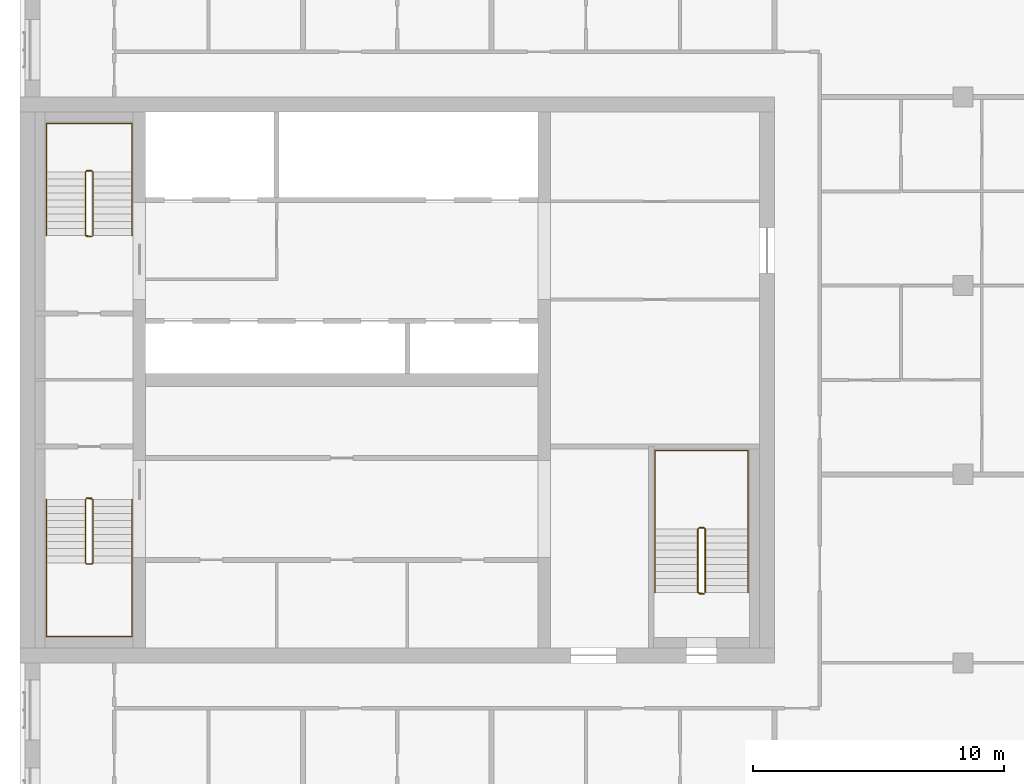
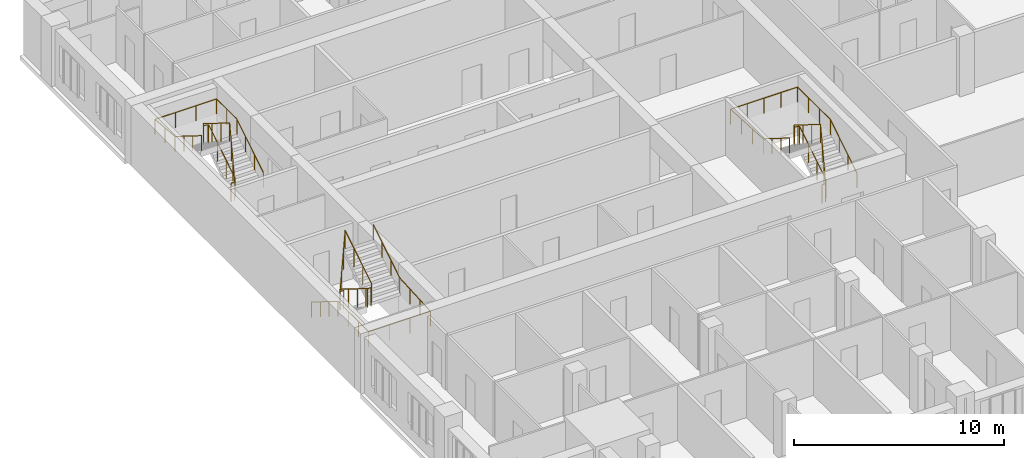
# One storey, part 10 of 10: 6 railings.
"""IFC4 building model written with IfcOpenShell, lengths in metres."""

import ifcopenshell
import ifcopenshell.guid

model = None  # the IFC model being written
_history = None  # IfcOwnerHistory: only IFC2X3 demands one
_inside = {}  # id of a spatial element -> (the spatial element, [elements in it])
_under = {}  # id of a project, library or spatial element -> (it, [spatial elements below it])
_declared = {}  # id of a project -> (the project, [libraries it declares])
_typed = {}  # id of a type object -> (the type object, [elements of that type])
_made_of = {}  # id of a material, layer set ... -> (it, [elements and type objects made of it])


def new_model(schema):
    """Start an empty IFC model of exactly this schema.

    Asked for "IFC4X3", IfcOpenShell would pick the latest addendum, in which some entities
    have other attributes; the version numbers below select the first issue.
    IFC2X3 requires an IfcOwnerHistory on every rooted entity: one is made here for all.
    """
    global model, _history
    if schema == "IFC4X3":
        model = ifcopenshell.file(schema_version=(4, 3, 0, 0))
    else:
        model = ifcopenshell.file(schema=schema)
    _inside.clear()
    _under.clear()
    _declared.clear()
    _typed.clear()
    _made_of.clear()
    _history = None
    if model.schema == "IFC2X3":
        org = make("IfcOrganization", Name="unknown")
        user = make(
            "IfcPersonAndOrganization",
            ThePerson=make("IfcPerson", FamilyName="unknown"),
            TheOrganization=org,
        )
        app = make(
            "IfcApplication",
            ApplicationDeveloper=org,
            Version="unknown",
            ApplicationFullName="unknown",
            ApplicationIdentifier="unknown",
        )
        _history = make(
            "IfcOwnerHistory",
            OwningUser=user,
            OwningApplication=app,
            ChangeAction="ADDED",
            CreationDate=0,
        )
    return model


def make(cls, **values):
    """One entity of the class cls with the attributes given. An attribute that is None is left unset."""
    return model.create_entity(
        cls, **{name: value for name, value in values.items() if value is not None}
    )


def rooted(cls, **values):
    """An entity with a GlobalId (a new one), such as an element, a storey or a relation."""
    return make(cls, GlobalId=ifcopenshell.guid.new(), OwnerHistory=_history, **values)


def si_unit(unit_type, name, prefix=None):
    """IfcSIUnit, for example si_unit("LENGTHUNIT", "METRE", prefix="MILLI")."""
    return make("IfcSIUnit", UnitType=unit_type, Prefix=prefix, Name=name)


def assignment(units):
    """IfcUnitAssignment: the units of a project."""
    return None if units is None else make("IfcUnitAssignment", Units=units)


def point(xyz):
    """IfcCartesianPoint."""
    return None if xyz is None else make("IfcCartesianPoint", Coordinates=xyz)


def direction(xyz):
    """IfcDirection."""
    return None if xyz is None else make("IfcDirection", DirectionRatios=xyz)


def frame(location, z_axis=None, x_axis=None):
    """IfcAxis2Placement3D, a coordinate frame: its origin and axes. An axis left out is left unset."""
    return make(
        "IfcAxis2Placement3D",
        Location=point(location),
        Axis=direction(z_axis),
        RefDirection=direction(x_axis),
    )


def frame_2d(location, x_axis=None):
    """IfcAxis2Placement2D, a coordinate frame in the plane: its origin and x axis."""
    return make(
        "IfcAxis2Placement2D", Location=point(location), RefDirection=direction(x_axis)
    )


def origin():
    """The frame at (0, 0, 0) with its axes left unset."""
    return frame((0.0, 0.0, 0.0))


def origin_2d():
    """The frame at (0, 0) in the plane with its x axis left unset."""
    return frame_2d((0.0, 0.0))


def place(relative_to, where):
    """IfcLocalPlacement: puts the frame where relative to a parent placement (None: the world)."""
    return make(
        "IfcLocalPlacement", PlacementRelTo=relative_to, RelativePlacement=where
    )


def context(
    kind, dimensions, precision=None, world=None, true_north=None, identifier=None
):
    """IfcGeometricRepresentationContext, for example the 3D "Model" context."""
    return make(
        "IfcGeometricRepresentationContext",
        ContextIdentifier=identifier,
        ContextType=kind,
        CoordinateSpaceDimension=dimensions,
        Precision=precision,
        WorldCoordinateSystem=world,
        TrueNorth=true_north,
    )


def subcontext(parent, identifier, kind, view, scale=None):
    """IfcGeometricRepresentationSubContext, for example "Body" below "Model"."""
    return make(
        "IfcGeometricRepresentationSubContext",
        ContextIdentifier=identifier,
        ContextType=kind,
        ParentContext=parent,
        TargetScale=scale,
        TargetView=view,
    )


def project(units=None, contexts=None):
    """IfcProject with its units and contexts."""
    return rooted(
        "IfcProject",
        Name="project",
        RepresentationContexts=contexts,
        UnitsInContext=assignment(units),
    )


def spatial(cls, under=None, at=None, **own):
    """A site, building, storey or space (cls), placed at a placement, below another one or the project."""
    s = rooted(cls, ObjectPlacement=at, **own)
    if under is not None:
        _under.setdefault(under.id(), (under, []))[1].append(s)
    return s


def profile(cls, at=None, kind="AREA", **sizes):
    """A parametric profile (cls). Its sizes go by their IFC names, for example OverallWidth=200.0."""
    return make(cls, ProfileType=kind, Position=at, **sizes)


def circle(**sizes):
    """IfcCircleProfileDef."""
    return profile("IfcCircleProfileDef", **sizes)


def extrude(swept, where, along, depth):
    """IfcExtrudedAreaSolid: the profile swept, set in the frame where, extruded along a direction by depth."""
    return make(
        "IfcExtrudedAreaSolid",
        SweptArea=swept,
        Position=where,
        ExtrudedDirection=direction(along),
        Depth=depth,
    )


def shape(context_of_items, identifier, shape_type, items):
    """IfcShapeRepresentation: the items that make up one representation, for example the "Body"."""
    return make(
        "IfcShapeRepresentation",
        ContextOfItems=context_of_items,
        RepresentationIdentifier=identifier,
        RepresentationType=shape_type,
        Items=items,
    )


def material(Name=None, Category=None):
    """IfcMaterial."""
    return make("IfcMaterial", Name=Name, Category=Category)


def made_of(thing, what):
    """Note that an element or type object is made of a material, layer set ...; save() writes the relation."""
    if what is not None:
        _made_of.setdefault(what.id(), (what, []))[1].append(thing)
    return thing


def type_object(cls, material=None, **own):
    """A type object (cls), such as IfcWallType, which elements share."""
    return made_of(rooted(cls, **own), material)


def element(
    cls,
    number,
    at=None,
    inside=None,
    cuts=None,
    type_object=None,
    material=None,
    context=None,
    identifier="Body",
    shape_type=None,
    held_by="IfcProductDefinitionShape",
    body=None,
    shapes=None,
    **own,
):
    """One element of the class cls, such as IfcWall. Its Tag is "e" and its number.

    at: its placement. inside: the storey or other place that contains it. cuts: it is an
    opening in that element (IfcRelVoidsElement). A single representation is given by context,
    identifier, shape_type and body (its items); several are given by shapes. held_by: the class
    of the entity that holds the representations. save() writes the other relations.
    """
    e = rooted(cls, Tag="e%d" % number, ObjectPlacement=at, **own)
    if body is not None:
        shapes = [shape(context, identifier, shape_type, body)]
    if shapes is not None:
        e.Representation = make(held_by, Representations=shapes)
    if inside is not None:
        _inside.setdefault(inside.id(), (inside, []))[1].append(e)
    if cuts is not None:
        rooted(
            "IfcRelVoidsElement", RelatingBuildingElement=cuts, RelatedOpeningElement=e
        )
    if type_object is not None:
        _typed.setdefault(type_object.id(), (type_object, []))[1].append(e)
    return made_of(e, material)


def aggregate(whole, parts):
    """IfcRelAggregates: a whole, such as a stair, and the parts it consists of."""
    return rooted("IfcRelAggregates", RelatingObject=whole, RelatedObjects=parts)


def save(model, path):
    """Write the relations noted so far, then the file.

    IfcRelAggregates (storeys below a building ...), IfcRelContainedInSpatialStructure (elements
    in a storey), IfcRelDefinesByType, IfcRelAssociatesMaterial and IfcRelDeclares: one each for
    every whole, place, type object, material and project.
    """
    for whole, parts in _under.values():
        aggregate(whole, parts)
    for where, things in _inside.values():
        rooted(
            "IfcRelContainedInSpatialStructure",
            RelatedElements=things,
            RelatingStructure=where,
        )
    for kind, things in _typed.values():
        rooted("IfcRelDefinesByType", RelatedObjects=things, RelatingType=kind)
    for what, things in _made_of.values():
        rooted("IfcRelAssociatesMaterial", RelatedObjects=things, RelatingMaterial=what)
    for by, libraries in _declared.values():
        rooted("IfcRelDeclares", RelatingContext=by, RelatedDefinitions=libraries)
    model.write(path)


model = new_model("IFC4")

# Units and contexts
model_context = context("Model", 3, precision=1e-05, world=origin(), true_north=direction((0.0, 1.0)))
body_context = subcontext(model_context, "Body", "Model", "MODEL_VIEW")
ifc_project = project(units=[si_unit("LENGTHUNIT", "METRE"), si_unit("AREAUNIT", "SQUARE_METRE"), si_unit("VOLUMEUNIT", "CUBIC_METRE"), si_unit("PLANEANGLEUNIT", "RADIAN"), si_unit("MASSUNIT", "GRAM", prefix="KILO")], contexts=[model_context])

# Site, building, storey
site_placement = place(None, origin())
site = spatial("IfcSite", under=ifc_project, at=site_placement, CompositionType="ELEMENT")
building_placement = place(site_placement, origin())
building = spatial("IfcBuilding", under=site, at=building_placement, Name="Tamorin Gate", CompositionType="ELEMENT")
storey_placement = place(building_placement, frame((0.0, 0.0, 251.199951171875)))
storey = spatial("IfcBuildingStorey", under=building, at=storey_placement, Name="L63", CompositionType="ELEMENT", Elevation=251.199951171875)

# Railings
ifc_material_1 = material(Name="Painted steel balustrade", Category="steel")
railing_type_1 = type_object("IfcRailingType", Name="Stair guard 1100", PredefinedType="GUARDRAIL", material=ifc_material_1)
railing_1_placement = place(storey_placement, frame((32.60009765625, 66.5, 0.175048828125)))
element("IfcRailing", 1, at=railing_1_placement, inside=storey, type_object=railing_type_1, Name="L63 ST1 stair guard 1", PredefinedType="GUARDRAIL", context=body_context, shape_type="SweptSolid", body=[
    extrude(circle(Radius=0.02392578125, at=origin_2d()), frame((0.0, 0.0, 1.076171875), z_axis=(0.0, -0.848007534815, 0.529984170421), x_axis=(1.0, 0.0, 0.0)), (0.0, 0.0, 1.0), 2.9716796875),
    extrude(circle(Radius=0.02392578125, at=origin_2d()), frame((0.0, -2.52001953125, 2.65087890625), z_axis=(0.705375805398, -0.708833529934, 0.0), x_axis=(0.708833529934, 0.705375805398, 0.0)), (0.0, 0.0, 1.0), 0.070556640625),
    extrude(circle(Radius=0.02392578125, at=origin_2d()), frame((0.0498046875, -2.570068359375, 2.65087890625), z_axis=(1.0, 0.0, 0.0), x_axis=(0.0, 1.0, 0.0)), (0.0, 0.0, 1.0), 0.2001953125),
    extrude(circle(Radius=0.02392578125, at=origin_2d()), frame((0.25, -2.570068359375, 2.65087890625), z_axis=(0.263862480399, 0.265155923931, 0.927399011991), x_axis=(-0.708833529934, 0.705375805398, 0.0)), (0.0, 0.0, 1.0), 0.188720703125),
    extrude(circle(Radius=0.02392578125, at=origin_2d()), frame((0.2998046875, -2.52001953125, 2.826171875), z_axis=(0.0, 0.848007534815, 0.529984170421), x_axis=(-1.0, 0.0, 0.0)), (0.0, 0.0, 1.0), 2.9716796875),
    extrude(circle(Radius=0.02392578125, at=origin_2d()), frame((0.2998046875, 0.0, 4.40087890625), z_axis=(-0.071239803756, 0.014261874775, -0.997357252587), x_axis=(-0.196300278283, -0.98054382908, 0.0)), (0.0, 0.0, 1.0), 3.50927734375),
    extrude(circle(Radius=0.02392578125, at=origin_2d()), frame((0.0498046875, 0.050048828125, 0.90087890625), z_axis=(1.0, 0.0, 0.0), x_axis=(0.0, 1.0, 0.0)), (0.0, 0.0, 1.0), 0.2001953125),
    extrude(circle(Radius=0.02099609375, at=origin_2d()), origin(), (0.0, 0.0, 1.0), 1.052001953125),
    extrude(circle(Radius=0.02099609375, at=origin_2d()), frame((0.0, -0.840087890625, 0.52490234375)), (0.0, 0.0, 1.0), 1.052001953125),
    extrude(circle(Radius=0.02099609375, at=origin_2d()), frame((0.0, -1.679931640625, 1.050048828125)), (0.0, 0.0, 1.0), 1.052001953125),
    extrude(circle(Radius=0.02099609375, at=origin_2d()), frame((0.0, -2.52001953125, 1.574951171875)), (0.0, 0.0, 1.0), 1.052001953125),
    extrude(circle(Radius=0.02099609375, at=origin_2d()), frame((0.0498046875, -2.570068359375, 1.574951171875)), (0.0, 0.0, 1.0), 1.052001953125),
    extrude(circle(Radius=0.02099609375, at=origin_2d()), frame((0.25, -2.570068359375, 1.574951171875)), (0.0, 0.0, 1.0), 1.052001953125),
    extrude(circle(Radius=0.02099609375, at=origin_2d()), frame((0.2998046875, -2.52001953125, 1.75)), (0.0, 0.0, 1.0), 1.052001953125),
    extrude(circle(Radius=0.02099609375, at=origin_2d()), frame((0.2998046875, -1.679931640625, 2.27490234375)), (0.0, 0.0, 1.0), 1.052001953125),
    extrude(circle(Radius=0.02099609375, at=origin_2d()), frame((0.2998046875, -0.840087890625, 2.800048828125)), (0.0, 0.0, 1.0), 1.052001953125),
    extrude(circle(Radius=0.02099609375, at=origin_2d()), frame((0.2998046875, 0.0, 3.324951171875)), (0.0, 0.0, 1.0), 1.052001953125),
    extrude(circle(Radius=0.02099609375, at=origin_2d()), frame((0.216552734375, 0.0166015625, 2.158203125)), (0.0, 0.0, 1.0), 1.052001953125),
    extrude(circle(Radius=0.02099609375, at=origin_2d()), frame((0.133056640625, 0.033447265625, 0.99169921875)), (0.0, 0.0, 1.0), 1.052001953125),
    extrude(circle(Radius=0.02099609375, at=origin_2d()), frame((0.0498046875, 0.050048828125, -0.175048828125)), (0.0, 0.0, 1.0), 1.052001953125),
    extrude(circle(Radius=0.02099609375, at=origin_2d()), frame((0.25, 0.050048828125, -0.175048828125)), (0.0, 0.0, 1.0), 1.052001953125),
])
railing_2_placement = place(storey_placement, frame((32.89990234375, 77.0, 0.175048828125)))
element("IfcRailing", 2, at=railing_2_placement, inside=storey, type_object=railing_type_1, Name="L63 ST2 stair guard 1", PredefinedType="GUARDRAIL", context=body_context, shape_type="SweptSolid", body=[
    extrude(circle(Radius=0.02392578125, at=origin_2d()), frame((0.0, 0.0, 1.076171875), z_axis=(0.0, 0.848007534815, 0.529984170421), x_axis=(-1.0, 0.0, 0.0)), (0.0, 0.0, 1.0), 2.9716796875),
    extrude(circle(Radius=0.02392578125, at=origin_2d()), frame((0.0, 2.52001953125, 2.65087890625), z_axis=(-0.705375805398, 0.708833529934, 0.0), x_axis=(-0.708833529934, -0.705375805398, 0.0)), (0.0, 0.0, 1.0), 0.070556640625),
    extrude(circle(Radius=0.02392578125, at=origin_2d()), frame((-0.0498046875, 2.570068359375, 2.65087890625), z_axis=(-1.0, 0.0, 0.0), x_axis=(0.0, -1.0, 0.0)), (0.0, 0.0, 1.0), 0.2001953125),
    extrude(circle(Radius=0.02392578125, at=origin_2d()), frame((-0.25, 2.570068359375, 2.65087890625), z_axis=(-0.263862480399, -0.265155923931, 0.927399011991), x_axis=(0.708833529934, -0.705375805398, 0.0)), (0.0, 0.0, 1.0), 0.188720703125),
    extrude(circle(Radius=0.02392578125, at=origin_2d()), frame((-0.2998046875, 2.52001953125, 2.826171875), z_axis=(0.0, -0.848007534815, 0.529984170421), x_axis=(1.0, 0.0, 0.0)), (0.0, 0.0, 1.0), 2.9716796875),
    extrude(circle(Radius=0.02392578125, at=origin_2d()), frame((-0.2998046875, 0.0, 4.40087890625), z_axis=(0.071239803756, -0.014261874775, -0.997357252587), x_axis=(0.196300278283, 0.98054382908, 0.0)), (0.0, 0.0, 1.0), 3.50927734375),
    extrude(circle(Radius=0.02392578125, at=origin_2d()), frame((-0.0498046875, -0.050048828125, 0.90087890625), z_axis=(-1.0, 0.0, 0.0), x_axis=(0.0, -1.0, 0.0)), (0.0, 0.0, 1.0), 0.2001953125),
    extrude(circle(Radius=0.02099609375, at=origin_2d()), origin(), (0.0, 0.0, 1.0), 1.052001953125),
    extrude(circle(Radius=0.02099609375, at=origin_2d()), frame((0.0, 0.840087890625, 0.52490234375)), (0.0, 0.0, 1.0), 1.052001953125),
    extrude(circle(Radius=0.02099609375, at=origin_2d()), frame((0.0, 1.679931640625, 1.050048828125)), (0.0, 0.0, 1.0), 1.052001953125),
    extrude(circle(Radius=0.02099609375, at=origin_2d()), frame((0.0, 2.52001953125, 1.574951171875)), (0.0, 0.0, 1.0), 1.052001953125),
    extrude(circle(Radius=0.02099609375, at=origin_2d()), frame((-0.0498046875, 2.570068359375, 1.574951171875)), (0.0, 0.0, 1.0), 1.052001953125),
    extrude(circle(Radius=0.02099609375, at=origin_2d()), frame((-0.25, 2.570068359375, 1.574951171875)), (0.0, 0.0, 1.0), 1.052001953125),
    extrude(circle(Radius=0.02099609375, at=origin_2d()), frame((-0.2998046875, 2.52001953125, 1.75)), (0.0, 0.0, 1.0), 1.052001953125),
    extrude(circle(Radius=0.02099609375, at=origin_2d()), frame((-0.2998046875, 1.679931640625, 2.27490234375)), (0.0, 0.0, 1.0), 1.052001953125),
    extrude(circle(Radius=0.02099609375, at=origin_2d()), frame((-0.2998046875, 0.840087890625, 2.800048828125)), (0.0, 0.0, 1.0), 1.052001953125),
    extrude(circle(Radius=0.02099609375, at=origin_2d()), frame((-0.2998046875, 0.0, 3.324951171875)), (0.0, 0.0, 1.0), 1.052001953125),
    extrude(circle(Radius=0.02099609375, at=origin_2d()), frame((-0.216552734375, -0.0166015625, 2.158203125)), (0.0, 0.0, 1.0), 1.052001953125),
    extrude(circle(Radius=0.02099609375, at=origin_2d()), frame((-0.133056640625, -0.033447265625, 0.99169921875)), (0.0, 0.0, 1.0), 1.052001953125),
    extrude(circle(Radius=0.02099609375, at=origin_2d()), frame((-0.0498046875, -0.050048828125, -0.175048828125)), (0.0, 0.0, 1.0), 1.052001953125),
    extrude(circle(Radius=0.02099609375, at=origin_2d()), frame((-0.25, -0.050048828125, -0.175048828125)), (0.0, 0.0, 1.0), 1.052001953125),
])
railing_3_placement = place(storey_placement, frame((57.25, 62.800048828125, 0.175048828125)))
element("IfcRailing", 3, at=railing_3_placement, inside=storey, type_object=railing_type_1, Name="L63 ST3 stair guard 1", PredefinedType="GUARDRAIL", context=body_context, shape_type="SweptSolid", body=[
    extrude(circle(Radius=0.02392578125, at=origin_2d()), frame((0.0, 0.0, 1.076171875), z_axis=(0.0, 0.848007534815, 0.529984170421), x_axis=(-1.0, 0.0, 0.0)), (0.0, 0.0, 1.0), 2.9716796875),
    extrude(circle(Radius=0.02392578125, at=origin_2d()), frame((0.0, 2.52001953125, 2.65087890625), z_axis=(-0.707106781187, 0.707106781187, 0.0), x_axis=(-0.707106781187, -0.707106781187, 0.0)), (0.0, 0.0, 1.0), 0.07080078125),
    extrude(circle(Radius=0.02392578125, at=origin_2d()), frame((-0.050048828125, 2.570068359375, 2.65087890625), z_axis=(-1.0, 0.0, 0.0), x_axis=(0.0, -1.0, 0.0)), (0.0, 0.0, 1.0), 0.199951171875),
    extrude(circle(Radius=0.02392578125, at=origin_2d()), frame((-0.25, 2.570068359375, 2.65087890625), z_axis=(-0.265065253269, -0.265065253269, 0.927081885822), x_axis=(0.707106781187, -0.707106781187, 0.0)), (0.0, 0.0, 1.0), 0.188720703125),
    extrude(circle(Radius=0.02392578125, at=origin_2d()), frame((-0.300048828125, 2.52001953125, 2.826171875), z_axis=(0.0, -0.848007534815, 0.529984170421), x_axis=(1.0, 0.0, 0.0)), (0.0, 0.0, 1.0), 2.9716796875),
    extrude(circle(Radius=0.02392578125, at=origin_2d()), frame((-0.300048828125, 0.0, 4.40087890625), z_axis=(0.071239803756, -0.014261874775, -0.997357252587), x_axis=(0.196300278283, 0.98054382908, 0.0)), (0.0, 0.0, 1.0), 3.50927734375),
    extrude(circle(Radius=0.02392578125, at=origin_2d()), frame((-0.050048828125, -0.050048828125, 0.90087890625), z_axis=(-1.0, 0.0, 0.0), x_axis=(0.0, -1.0, 0.0)), (0.0, 0.0, 1.0), 0.199951171875),
    extrude(circle(Radius=0.02099609375, at=origin_2d()), origin(), (0.0, 0.0, 1.0), 1.052001953125),
    extrude(circle(Radius=0.02099609375, at=origin_2d()), frame((0.0, 0.840087890625, 0.52490234375)), (0.0, 0.0, 1.0), 1.052001953125),
    extrude(circle(Radius=0.02099609375, at=origin_2d()), frame((0.0, 1.679931640625, 1.050048828125)), (0.0, 0.0, 1.0), 1.052001953125),
    extrude(circle(Radius=0.02099609375, at=origin_2d()), frame((0.0, 2.52001953125, 1.574951171875)), (0.0, 0.0, 1.0), 1.052001953125),
    extrude(circle(Radius=0.02099609375, at=origin_2d()), frame((-0.050048828125, 2.570068359375, 1.574951171875)), (0.0, 0.0, 1.0), 1.052001953125),
    extrude(circle(Radius=0.02099609375, at=origin_2d()), frame((-0.25, 2.570068359375, 1.574951171875)), (0.0, 0.0, 1.0), 1.052001953125),
    extrude(circle(Radius=0.02099609375, at=origin_2d()), frame((-0.300048828125, 2.52001953125, 1.75)), (0.0, 0.0, 1.0), 1.052001953125),
    extrude(circle(Radius=0.02099609375, at=origin_2d()), frame((-0.300048828125, 1.679931640625, 2.27490234375)), (0.0, 0.0, 1.0), 1.052001953125),
    extrude(circle(Radius=0.02099609375, at=origin_2d()), frame((-0.300048828125, 0.840087890625, 2.800048828125)), (0.0, 0.0, 1.0), 1.052001953125),
    extrude(circle(Radius=0.02099609375, at=origin_2d()), frame((-0.300048828125, 0.0, 3.324951171875)), (0.0, 0.0, 1.0), 1.052001953125),
    extrude(circle(Radius=0.02099609375, at=origin_2d()), frame((-0.216796875, -0.0166015625, 2.158203125)), (0.0, 0.0, 1.0), 1.052001953125),
    extrude(circle(Radius=0.02099609375, at=origin_2d()), frame((-0.13330078125, -0.033447265625, 0.99169921875)), (0.0, 0.0, 1.0), 1.052001953125),
    extrude(circle(Radius=0.02099609375, at=origin_2d()), frame((-0.050048828125, -0.050048828125, -0.175048828125)), (0.0, 0.0, 1.0), 1.052001953125),
    extrude(circle(Radius=0.02099609375, at=origin_2d()), frame((-0.25, -0.050048828125, -0.175048828125)), (0.0, 0.0, 1.0), 1.052001953125),
])
ifc_material_2 = material(Name="Painted steel handrail", Category="steel")
railing_type_2 = type_object("IfcRailingType", Name="Stair handrail 900", PredefinedType="HANDRAIL", material=ifc_material_2)
railing_4_placement = place(storey_placement, frame((31.050048828125, 66.5, 0.175048828125)))
element("IfcRailing", 4, at=railing_4_placement, inside=storey, type_object=railing_type_2, Name="L63 ST1 stair handrail 1", PredefinedType="HANDRAIL", context=body_context, shape_type="SweptSolid", body=[
    extrude(circle(Radius=0.02392578125, at=origin_2d()), frame((0.0, 0.0, 0.8759765625), z_axis=(0.0, -0.848007534815, 0.529984170421), x_axis=(1.0, 0.0, 0.0)), (0.0, 0.0, 1.0), 2.9716796875),
    extrude(circle(Radius=0.02392578125, at=origin_2d()), frame((0.0, -2.52001953125, 2.45068359375), z_axis=(0.0, -1.0, 0.0), x_axis=(1.0, 0.0, 0.0)), (0.0, 0.0, 1.0), 2.929931640625),
    extrude(circle(Radius=0.02392578125, at=origin_2d()), frame((0.0, -5.449951171875, 2.45068359375), z_axis=(1.0, 0.0, 0.0), x_axis=(0.0, 1.0, 0.0)), (0.0, 0.0, 1.0), 3.39990234375),
    extrude(circle(Radius=0.02392578125, at=origin_2d()), frame((3.39990234375, -5.449951171875, 2.45068359375), z_axis=(0.0, 0.998220029962, 0.0596386769), x_axis=(-1.0, 0.0, 0.0)), (0.0, 0.0, 1.0), 2.93505859375),
    extrude(circle(Radius=0.02392578125, at=origin_2d()), frame((3.39990234375, -2.52001953125, 2.6259765625), z_axis=(0.0, 0.848007534815, 0.529984170421), x_axis=(-1.0, 0.0, 0.0)), (0.0, 0.0, 1.0), 2.9716796875),
    extrude(circle(Radius=0.02099609375, at=origin_2d()), origin(), (0.0, 0.0, 1.0), 0.851806640625),
    extrude(circle(Radius=0.02099609375, at=origin_2d()), frame((0.0, -0.840087890625, 0.52490234375)), (0.0, 0.0, 1.0), 0.851806640625),
    extrude(circle(Radius=0.02099609375, at=origin_2d()), frame((0.0, -1.679931640625, 1.050048828125)), (0.0, 0.0, 1.0), 0.851806640625),
    extrude(circle(Radius=0.02099609375, at=origin_2d()), frame((0.0, -2.52001953125, 1.574951171875)), (0.0, 0.0, 1.0), 0.851806640625),
    extrude(circle(Radius=0.02099609375, at=origin_2d()), frame((0.0, -3.49658203125, 1.574951171875)), (0.0, 0.0, 1.0), 0.851806640625),
    extrude(circle(Radius=0.02099609375, at=origin_2d()), frame((0.0, -4.473388671875, 1.574951171875)), (0.0, 0.0, 1.0), 0.851806640625),
    extrude(circle(Radius=0.02099609375, at=origin_2d()), frame((0.0, -5.449951171875, 1.574951171875)), (0.0, 0.0, 1.0), 0.851806640625),
    extrude(circle(Radius=0.02099609375, at=origin_2d()), frame((1.13330078125, -5.449951171875, 1.574951171875)), (0.0, 0.0, 1.0), 0.851806640625),
    extrude(circle(Radius=0.02099609375, at=origin_2d()), frame((2.2666015625, -5.449951171875, 1.574951171875)), (0.0, 0.0, 1.0), 0.851806640625),
    extrude(circle(Radius=0.02099609375, at=origin_2d()), frame((3.39990234375, -5.449951171875, 1.574951171875)), (0.0, 0.0, 1.0), 0.851806640625),
    extrude(circle(Radius=0.02099609375, at=origin_2d()), frame((3.39990234375, -4.473388671875, 1.63330078125)), (0.0, 0.0, 1.0), 0.851806640625),
    extrude(circle(Radius=0.02099609375, at=origin_2d()), frame((3.39990234375, -3.49658203125, 1.691650390625)), (0.0, 0.0, 1.0), 0.851806640625),
    extrude(circle(Radius=0.02099609375, at=origin_2d()), frame((3.39990234375, -2.52001953125, 1.75)), (0.0, 0.0, 1.0), 0.851806640625),
    extrude(circle(Radius=0.02099609375, at=origin_2d()), frame((3.39990234375, -1.679931640625, 2.27490234375)), (0.0, 0.0, 1.0), 0.851806640625),
    extrude(circle(Radius=0.02099609375, at=origin_2d()), frame((3.39990234375, -0.840087890625, 2.800048828125)), (0.0, 0.0, 1.0), 0.851806640625),
    extrude(circle(Radius=0.02099609375, at=origin_2d()), frame((3.39990234375, 0.0, 3.324951171875)), (0.0, 0.0, 1.0), 0.851806640625),
])
railing_5_placement = place(storey_placement, frame((34.449951171875, 77.0, 0.175048828125)))
element("IfcRailing", 5, at=railing_5_placement, inside=storey, type_object=railing_type_2, Name="L63 ST2 stair handrail 1", PredefinedType="HANDRAIL", context=body_context, shape_type="SweptSolid", body=[
    extrude(circle(Radius=0.02392578125, at=origin_2d()), frame((0.0, 0.0, 0.8759765625), z_axis=(0.0, 0.848007534815, 0.529984170421), x_axis=(-1.0, 0.0, 0.0)), (0.0, 0.0, 1.0), 2.9716796875),
    extrude(circle(Radius=0.02392578125, at=origin_2d()), frame((0.0, 2.52001953125, 2.45068359375), z_axis=(0.0, 1.0, 0.0), x_axis=(-1.0, 0.0, 0.0)), (0.0, 0.0, 1.0), 1.929931640625),
    extrude(circle(Radius=0.02392578125, at=origin_2d()), frame((0.0, 4.449951171875, 2.45068359375), z_axis=(-1.0, 0.0, 0.0), x_axis=(0.0, -1.0, 0.0)), (0.0, 0.0, 1.0), 3.39990234375),
    extrude(circle(Radius=0.02392578125, at=origin_2d()), frame((-3.39990234375, 4.449951171875, 2.45068359375), z_axis=(0.0, -0.995911773435, 0.090331276604), x_axis=(1.0, 0.0, 0.0)), (0.0, 0.0, 1.0), 1.937744140625),
    extrude(circle(Radius=0.02392578125, at=origin_2d()), frame((-3.39990234375, 2.52001953125, 2.6259765625), z_axis=(0.0, -0.848007534815, 0.529984170421), x_axis=(1.0, 0.0, 0.0)), (0.0, 0.0, 1.0), 2.9716796875),
    extrude(circle(Radius=0.02099609375, at=origin_2d()), origin(), (0.0, 0.0, 1.0), 0.851806640625),
    extrude(circle(Radius=0.02099609375, at=origin_2d()), frame((0.0, 0.840087890625, 0.52490234375)), (0.0, 0.0, 1.0), 0.851806640625),
    extrude(circle(Radius=0.02099609375, at=origin_2d()), frame((0.0, 1.679931640625, 1.050048828125)), (0.0, 0.0, 1.0), 0.851806640625),
    extrude(circle(Radius=0.02099609375, at=origin_2d()), frame((0.0, 2.52001953125, 1.574951171875)), (0.0, 0.0, 1.0), 0.851806640625),
    extrude(circle(Radius=0.02099609375, at=origin_2d()), frame((0.0, 3.48486328125, 1.574951171875)), (0.0, 0.0, 1.0), 0.851806640625),
    extrude(circle(Radius=0.02099609375, at=origin_2d()), frame((0.0, 4.449951171875, 1.574951171875)), (0.0, 0.0, 1.0), 0.851806640625),
    extrude(circle(Radius=0.02099609375, at=origin_2d()), frame((-1.13330078125, 4.449951171875, 1.574951171875)), (0.0, 0.0, 1.0), 0.851806640625),
    extrude(circle(Radius=0.02099609375, at=origin_2d()), frame((-2.2666015625, 4.449951171875, 1.574951171875)), (0.0, 0.0, 1.0), 0.851806640625),
    extrude(circle(Radius=0.02099609375, at=origin_2d()), frame((-3.39990234375, 4.449951171875, 1.574951171875)), (0.0, 0.0, 1.0), 0.851806640625),
    extrude(circle(Radius=0.02099609375, at=origin_2d()), frame((-3.39990234375, 3.48486328125, 1.66259765625)), (0.0, 0.0, 1.0), 0.851806640625),
    extrude(circle(Radius=0.02099609375, at=origin_2d()), frame((-3.39990234375, 2.52001953125, 1.75)), (0.0, 0.0, 1.0), 0.851806640625),
    extrude(circle(Radius=0.02099609375, at=origin_2d()), frame((-3.39990234375, 1.679931640625, 2.27490234375)), (0.0, 0.0, 1.0), 0.851806640625),
    extrude(circle(Radius=0.02099609375, at=origin_2d()), frame((-3.39990234375, 0.840087890625, 2.800048828125)), (0.0, 0.0, 1.0), 0.851806640625),
    extrude(circle(Radius=0.02099609375, at=origin_2d()), frame((-3.39990234375, 0.0, 3.324951171875)), (0.0, 0.0, 1.0), 0.851806640625),
])
railing_6_placement = place(storey_placement, frame((58.949951171875, 62.800048828125, 0.175048828125)))
element("IfcRailing", 6, at=railing_6_placement, inside=storey, type_object=railing_type_2, Name="L63 ST3 stair handrail 1", PredefinedType="HANDRAIL", context=body_context, shape_type="SweptSolid", body=[
    extrude(circle(Radius=0.02392578125, at=origin_2d()), frame((0.0, 0.0, 0.8759765625), z_axis=(0.0, 0.848007534815, 0.529984170421), x_axis=(-1.0, 0.0, 0.0)), (0.0, 0.0, 1.0), 2.9716796875),
    extrude(circle(Radius=0.02392578125, at=origin_2d()), frame((0.0, 2.52001953125, 2.45068359375), z_axis=(0.0, 1.0, 0.0), x_axis=(-1.0, 0.0, 0.0)), (0.0, 0.0, 1.0), 3.1298828125),
    extrude(circle(Radius=0.02392578125, at=origin_2d()), frame((0.0, 5.64990234375, 2.45068359375), z_axis=(-1.0, 0.0, 0.0), x_axis=(0.0, -1.0, 0.0)), (0.0, 0.0, 1.0), 3.699951171875),
    extrude(circle(Radius=0.02392578125, at=origin_2d()), frame((-3.699951171875, 5.64990234375, 2.45068359375), z_axis=(0.0, -0.998439675676, 0.055840970941), x_axis=(1.0, 0.0, 0.0)), (0.0, 0.0, 1.0), 3.134765625),
    extrude(circle(Radius=0.02392578125, at=origin_2d()), frame((-3.699951171875, 2.52001953125, 2.6259765625), z_axis=(0.0, -0.848007534815, 0.529984170421), x_axis=(1.0, 0.0, 0.0)), (0.0, 0.0, 1.0), 2.9716796875),
    extrude(circle(Radius=0.02099609375, at=origin_2d()), origin(), (0.0, 0.0, 1.0), 0.851806640625),
    extrude(circle(Radius=0.02099609375, at=origin_2d()), frame((0.0, 0.840087890625, 0.52490234375)), (0.0, 0.0, 1.0), 0.851806640625),
    extrude(circle(Radius=0.02099609375, at=origin_2d()), frame((0.0, 1.679931640625, 1.050048828125)), (0.0, 0.0, 1.0), 0.851806640625),
    extrude(circle(Radius=0.02099609375, at=origin_2d()), frame((0.0, 2.52001953125, 1.574951171875)), (0.0, 0.0, 1.0), 0.851806640625),
    extrude(circle(Radius=0.02099609375, at=origin_2d()), frame((0.0, 3.563232421875, 1.574951171875)), (0.0, 0.0, 1.0), 0.851806640625),
    extrude(circle(Radius=0.02099609375, at=origin_2d()), frame((0.0, 4.606689453125, 1.574951171875)), (0.0, 0.0, 1.0), 0.851806640625),
    extrude(circle(Radius=0.02099609375, at=origin_2d()), frame((0.0, 5.64990234375, 1.574951171875)), (0.0, 0.0, 1.0), 0.851806640625),
    extrude(circle(Radius=0.02099609375, at=origin_2d()), frame((-0.925048828125, 5.64990234375, 1.574951171875)), (0.0, 0.0, 1.0), 0.851806640625),
    extrude(circle(Radius=0.02099609375, at=origin_2d()), frame((-1.85009765625, 5.64990234375, 1.574951171875)), (0.0, 0.0, 1.0), 0.851806640625),
    extrude(circle(Radius=0.02099609375, at=origin_2d()), frame((-2.77490234375, 5.64990234375, 1.574951171875)), (0.0, 0.0, 1.0), 0.851806640625),
    extrude(circle(Radius=0.02099609375, at=origin_2d()), frame((-3.699951171875, 5.64990234375, 1.574951171875)), (0.0, 0.0, 1.0), 0.851806640625),
    extrude(circle(Radius=0.02099609375, at=origin_2d()), frame((-3.699951171875, 4.606689453125, 1.63330078125)), (0.0, 0.0, 1.0), 0.851806640625),
    extrude(circle(Radius=0.02099609375, at=origin_2d()), frame((-3.699951171875, 3.563232421875, 1.691650390625)), (0.0, 0.0, 1.0), 0.851806640625),
    extrude(circle(Radius=0.02099609375, at=origin_2d()), frame((-3.699951171875, 2.52001953125, 1.75)), (0.0, 0.0, 1.0), 0.851806640625),
    extrude(circle(Radius=0.02099609375, at=origin_2d()), frame((-3.699951171875, 1.679931640625, 2.27490234375)), (0.0, 0.0, 1.0), 0.851806640625),
    extrude(circle(Radius=0.02099609375, at=origin_2d()), frame((-3.699951171875, 0.840087890625, 2.800048828125)), (0.0, 0.0, 1.0), 0.851806640625),
    extrude(circle(Radius=0.02099609375, at=origin_2d()), frame((-3.699951171875, 0.0, 3.324951171875)), (0.0, 0.0, 1.0), 0.851806640625),
])

save(model, "model.ifc")
